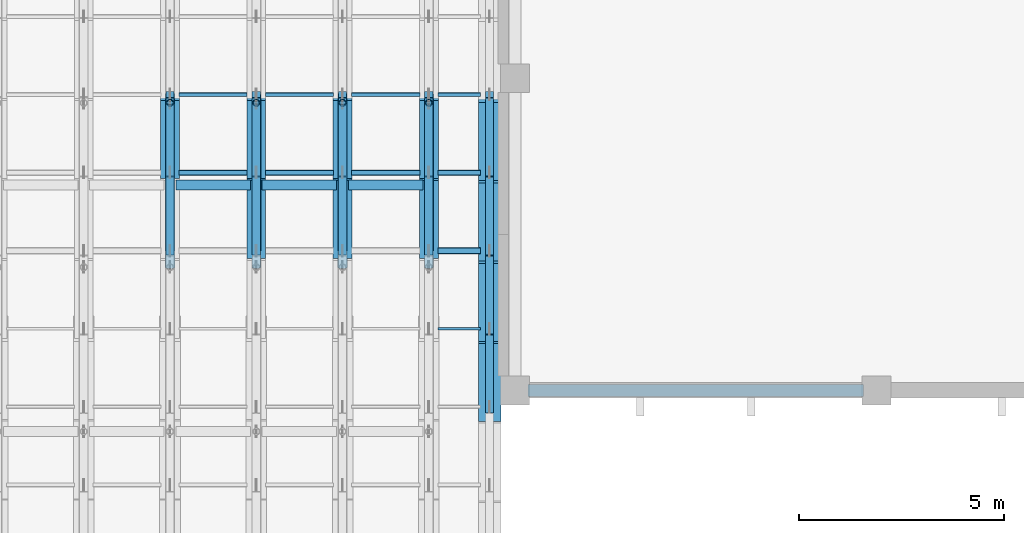
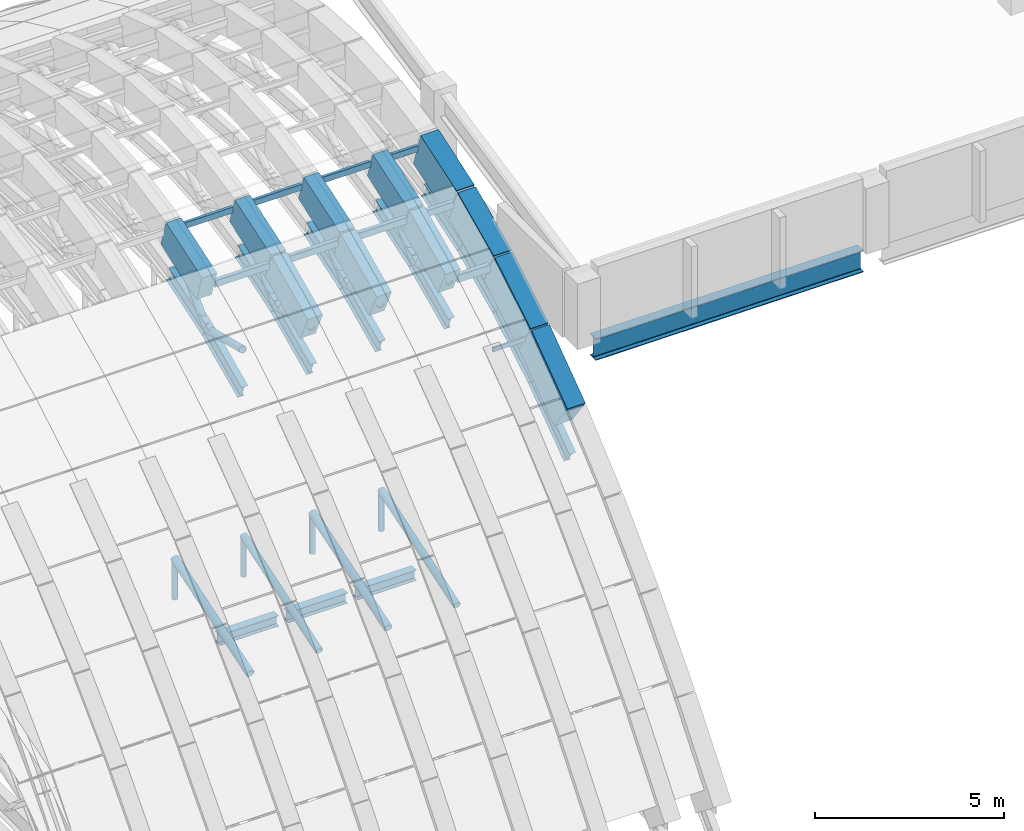
# One storey, part 34 of 67: 27 beams, 26 members.
"""IFC4 building model written with IfcOpenShell, lengths in metres."""

from ifc_helpers import new_model, si_unit, direction, frame, origin, origin_2d, place, context, subcontext, project, spatial, rectangle, hollow_rectangle, hollow_circle, i_section, extrude, material, material_profile, profile_set, type_object, element, save


model = new_model("IFC4")

# Units and contexts
model_context = context("Model", 3, precision=1e-05, world=origin(), true_north=direction((0.0, 1.0)))
body_context = subcontext(model_context, "Body", "Model", "MODEL_VIEW")
ifc_project = project(units=[si_unit("LENGTHUNIT", "METRE"), si_unit("AREAUNIT", "SQUARE_METRE"), si_unit("VOLUMEUNIT", "CUBIC_METRE"), si_unit("PLANEANGLEUNIT", "RADIAN"), si_unit("MASSUNIT", "GRAM", prefix="KILO")], contexts=[model_context])

# Site, building, storey
site_placement = place(None, origin())
site = spatial("IfcSite", under=ifc_project, at=site_placement, CompositionType="ELEMENT")
building_placement = place(site_placement, origin())
building = spatial("IfcBuilding", under=site, at=building_placement, Name="Shengluoqiao Park Theatre", CompositionType="ELEMENT")
storey_placement = place(building_placement, frame((0.0, 0.0, 28.60009765625)))
storey = spatial("IfcBuildingStorey", under=building, at=storey_placement, Name="Roof", CompositionType="ELEMENT", Elevation=28.60009765625)

# Beams
ifc_material_1 = material(Name="Concrete C50", Category="concrete")
ifc_material_profile_1 = material_profile(ifc_material_1, rectangle(XDim=0.4599609375, YDim=0.919921875, at=origin_2d()), Name="RC ARCH 460x920")
ifc_profile_set_1 = profile_set([ifc_material_profile_1], Name="Concrete C50")
beam_type_1 = type_object("IfcBeamType", Name="STR-BM-AR-4609", PredefinedType="BEAM", material=ifc_profile_set_1)
beam_1_placement = place(storey_placement, frame((78.0, 89.300048828125, 1.44580078125), z_axis=(0.0, 0.949157901431, 0.314800378257), x_axis=(-1.0, 0.0, 0.0)))
element("IfcBeam", 1, at=beam_1_placement, inside=storey, type_object=beam_type_1, Name="Barrel-Shell Arch Rib R17-S08", PredefinedType="BEAM", context=body_context, shape_type="SweptSolid", body=[
    extrude(rectangle(XDim=0.4599609375, YDim=0.919921875, at=origin_2d()), origin(), (0.0, 0.0, 1.0), 2.001708984375),
])
beam_2_placement = place(storey_placement, frame((80.10009765625, 87.39990234375, 0.56396484375), z_axis=(0.0, 0.907077318021, 0.420964059192), x_axis=(-1.0, 0.0, 0.0)))
element("IfcBeam", 2, at=beam_2_placement, inside=storey, type_object=beam_type_1, Name="Barrel-Shell Arch Rib R18-S07", PredefinedType="BEAM", context=body_context, shape_type="SweptSolid", body=[
    extrude(rectangle(XDim=0.4599609375, YDim=0.919921875, at=origin_2d()), origin(), (0.0, 0.0, 1.0), 2.0947265625),
])
beam_3_placement = place(storey_placement, frame((80.10009765625, 89.300048828125, 1.44580078125), z_axis=(0.0, 0.949157901431, 0.314800378257), x_axis=(-1.0, 0.0, 0.0)))
element("IfcBeam", 3, at=beam_3_placement, inside=storey, type_object=beam_type_1, Name="Barrel-Shell Arch Rib R18-S08", PredefinedType="BEAM", context=body_context, shape_type="SweptSolid", body=[
    extrude(rectangle(XDim=0.4599609375, YDim=0.919921875, at=origin_2d()), origin(), (0.0, 0.0, 1.0), 2.001708984375),
])
beam_4_placement = place(storey_placement, frame((82.199951171875, 87.39990234375, 0.56396484375), z_axis=(0.0, 0.907077318021, 0.420964059192), x_axis=(-1.0, 0.0, 0.0)))
element("IfcBeam", 4, at=beam_4_placement, inside=storey, type_object=beam_type_1, Name="Barrel-Shell Arch Rib R19-S07", PredefinedType="BEAM", context=body_context, shape_type="SweptSolid", body=[
    extrude(rectangle(XDim=0.4599609375, YDim=0.919921875, at=origin_2d()), origin(), (0.0, 0.0, 1.0), 2.0947265625),
])
beam_5_placement = place(storey_placement, frame((82.199951171875, 89.300048828125, 1.44580078125), z_axis=(0.0, 0.949157901431, 0.314800378257), x_axis=(-1.0, 0.0, 0.0)))
element("IfcBeam", 5, at=beam_5_placement, inside=storey, type_object=beam_type_1, Name="Barrel-Shell Arch Rib R19-S08", PredefinedType="BEAM", context=body_context, shape_type="SweptSolid", body=[
    extrude(rectangle(XDim=0.4599609375, YDim=0.919921875, at=origin_2d()), origin(), (0.0, 0.0, 1.0), 2.001708984375),
])
beam_6_placement = place(storey_placement, frame((84.300048828125, 87.39990234375, 0.56396484375), z_axis=(0.0, 0.907077318021, 0.420964059192), x_axis=(-1.0, 0.0, 0.0)))
element("IfcBeam", 6, at=beam_6_placement, inside=storey, type_object=beam_type_1, Name="Barrel-Shell Arch Rib R20-S07", PredefinedType="BEAM", context=body_context, shape_type="SweptSolid", body=[
    extrude(rectangle(XDim=0.4599609375, YDim=0.919921875, at=origin_2d()), origin(), (0.0, 0.0, 1.0), 2.0947265625),
])
beam_7_placement = place(storey_placement, frame((84.300048828125, 89.300048828125, 1.44580078125), z_axis=(0.0, 0.949157901431, 0.314800378257), x_axis=(-1.0, 0.0, 0.0)))
element("IfcBeam", 7, at=beam_7_placement, inside=storey, type_object=beam_type_1, Name="Barrel-Shell Arch Rib R20-S08", PredefinedType="BEAM", context=body_context, shape_type="SweptSolid", body=[
    extrude(rectangle(XDim=0.4599609375, YDim=0.919921875, at=origin_2d()), origin(), (0.0, 0.0, 1.0), 2.001708984375),
])
ifc_material_profile_2 = material_profile(ifc_material_1, rectangle(XDim=0.550048828125, YDim=1.199951171875, at=origin_2d()), Name="RC ARCH 550x1200")
ifc_profile_set_2 = profile_set([ifc_material_profile_2], Name="Concrete C50")
beam_type_2 = type_object("IfcBeamType", Name="STR-BM-AR-5512", PredefinedType="BEAM", material=ifc_profile_set_2)
beam_8_placement = place(storey_placement, frame((85.780029296875, 83.60009765625, -1.9560546875), z_axis=(0.0, 0.807877780345, 0.589350058985), x_axis=(-1.0, 0.0, 0.0)))
element("IfcBeam", 8, at=beam_8_placement, inside=storey, type_object=beam_type_2, Name="Barrel-Shell Arch Rib R21-S05", PredefinedType="BEAM", context=body_context, shape_type="SweptSolid", body=[
    extrude(rectangle(XDim=0.550048828125, YDim=1.199951171875, at=origin_2d()), origin(), (0.0, 0.0, 1.0), 2.351806640625),
])
beam_9_placement = place(storey_placement, frame((85.780029296875, 85.5, -0.570068359375), z_axis=(0.0, 0.858668723557, 0.512530997292), x_axis=(-1.0, 0.0, 0.0)))
element("IfcBeam", 9, at=beam_9_placement, inside=storey, type_object=beam_type_2, Name="Barrel-Shell Arch Rib R21-S06", PredefinedType="BEAM", context=body_context, shape_type="SweptSolid", body=[
    extrude(rectangle(XDim=0.550048828125, YDim=1.199951171875, at=origin_2d()), origin(), (0.0, 0.0, 1.0), 2.212646484375),
])
beam_10_placement = place(storey_placement, frame((85.780029296875, 87.39990234375, 0.56396484375), z_axis=(0.0, 0.907077318021, 0.420964059192), x_axis=(-1.0, 0.0, 0.0)))
element("IfcBeam", 10, at=beam_10_placement, inside=storey, type_object=beam_type_2, Name="Barrel-Shell Arch Rib R21-S07", PredefinedType="BEAM", context=body_context, shape_type="SweptSolid", body=[
    extrude(rectangle(XDim=0.550048828125, YDim=1.199951171875, at=origin_2d()), origin(), (0.0, 0.0, 1.0), 2.0947265625),
])
beam_11_placement = place(storey_placement, frame((85.780029296875, 89.300048828125, 1.44580078125), z_axis=(0.0, 0.949157901431, 0.314800378257), x_axis=(-1.0, 0.0, 0.0)))
element("IfcBeam", 11, at=beam_11_placement, inside=storey, type_object=beam_type_2, Name="Barrel-Shell Arch Rib R21-S08", PredefinedType="BEAM", context=body_context, shape_type="SweptSolid", body=[
    extrude(rectangle(XDim=0.550048828125, YDim=1.199951171875, at=origin_2d()), origin(), (0.0, 0.0, 1.0), 2.001708984375),
])
ifc_material_2 = material(Name="Steel Q355", Category="steel")
ifc_material_profile_3 = material_profile(ifc_material_2, i_section(OverallWidth=0.25, OverallDepth=0.340087890625, WebThickness=0.009033203125, FlangeThickness=0.013916015625, FilletRadius=0.01611328125, at=origin_2d()), Name="HM 340x250x9x14")
ifc_profile_set_3 = profile_set([ifc_material_profile_3], Name="Steel Q355")
beam_type_3 = type_object("IfcBeamType", Name="STR-BM-G-HM340", PredefinedType="BEAM", material=ifc_profile_set_3)
for number, where, z_axis, x_axis, name in (
    (12, (78.14404296875, 89.0, -9.77001953125), (1.0, 0.0, 0.0), (0.0, 1.0, 0.0), "Auditorium Overhead Catwalk Girder R17-2"),
    (13, (80.243896484375, 89.0, -9.77001953125), (1.0, 0.0, 0.0), (0.0, 1.0, 0.0), "Auditorium Overhead Catwalk Girder R18-2"),
    (14, (82.343994140625, 89.0, -9.77001953125), (1.0, 0.0, 0.0), (0.0, 1.0, 0.0), "Auditorium Overhead Catwalk Girder R19-2"),
):
    element("IfcBeam", number, at=place(storey_placement, frame(where, z_axis=z_axis, x_axis=x_axis)), inside=storey, type_object=beam_type_3, Name=name, PredefinedType="BEAM", context=body_context, shape_type="SweptSolid", body=[
        extrude(i_section(OverallWidth=0.25, OverallDepth=0.340087890625, WebThickness=0.009033203125, FlangeThickness=0.013916015625, FilletRadius=0.01611328125, at=origin_2d()), origin(), (0.0, 0.0, 1.0), 1.81201171875),
    ])
ifc_material_3 = material(Name="Steel Q390", Category="steel")
ifc_material_profile_4 = material_profile(ifc_material_3, i_section(OverallWidth=0.300048828125, OverallDepth=0.699951171875, WebThickness=0.012939453125, FlangeThickness=0.02392578125, FilletRadius=0.02392578125, at=origin_2d()), Name="HN 700x300x13x24")
ifc_profile_set_4 = profile_set([ifc_material_profile_4], Name="Steel Q390")
beam_type_4 = type_object("IfcBeamType", Name="STR-BM-G-HN700", PredefinedType="BEAM", material=ifc_profile_set_4)
beam_12_placement = place(storey_placement, frame((86.719970703125, 84.0, -0.35009765625), z_axis=(1.0, 0.0, 0.0), x_axis=(0.0, 1.0, 0.0)))
element("IfcBeam", 15, at=beam_12_placement, inside=storey, type_object=beam_type_4, Name="Fly Tower Roof South Eave Sill Girder X86", PredefinedType="BEAM", context=body_context, shape_type="SweptSolid", body=[
    extrude(i_section(OverallWidth=0.300048828125, OverallDepth=0.699951171875, WebThickness=0.012939453125, FlangeThickness=0.02392578125, FilletRadius=0.02392578125, at=origin_2d()), origin(), (0.0, 0.0, 1.0), 8.159912109375),
])
ifc_material_profile_5 = material_profile(ifc_material_2, i_section(OverallWidth=0.199951171875, OverallDepth=0.5, WebThickness=0.010009765625, FlangeThickness=0.01611328125, FilletRadius=0.01806640625, at=origin_2d()), Name="HN 500x200x10x16")
ifc_profile_set_5 = profile_set([ifc_material_profile_5], Name="Steel Q355")
beam_type_5 = type_object("IfcBeamType", Name="STR-BM-J-HN500", PredefinedType="JOIST", material=ifc_profile_set_5)
beam_13_placement = place(storey_placement, frame((78.0, 87.39990234375, -0.796142578125), z_axis=(0.0, 0.907032812412, 0.421059944911), x_axis=(-1.0, 0.0, 0.0)))
element("IfcBeam", 16, at=beam_13_placement, inside=storey, type_object=beam_type_5, Name="Barrel-Shell Lower Arch Chord R17-S07", PredefinedType="JOIST", context=body_context, shape_type="SweptSolid", body=[
    extrude(i_section(OverallWidth=0.199951171875, OverallDepth=0.5, WebThickness=0.010009765625, FlangeThickness=0.01611328125, FilletRadius=0.01806640625, at=origin_2d()), origin(), (0.0, 0.0, 1.0), 2.094970703125),
])
beam_14_placement = place(storey_placement, frame((78.0, 89.300048828125, 0.0859375), z_axis=(0.0, 0.949194340043, 0.314690490531), x_axis=(-1.0, 0.0, 0.0)))
element("IfcBeam", 17, at=beam_14_placement, inside=storey, type_object=beam_type_5, Name="Barrel-Shell Lower Arch Chord R17-S08", PredefinedType="JOIST", context=body_context, shape_type="SweptSolid", body=[
    extrude(i_section(OverallWidth=0.199951171875, OverallDepth=0.5, WebThickness=0.010009765625, FlangeThickness=0.01611328125, FilletRadius=0.01806640625, at=origin_2d()), origin(), (0.0, 0.0, 1.0), 2.001708984375),
])
beam_15_placement = place(storey_placement, frame((80.10009765625, 87.39990234375, -0.796142578125), z_axis=(0.0, 0.907032812412, 0.421059944911), x_axis=(-1.0, 0.0, 0.0)))
element("IfcBeam", 18, at=beam_15_placement, inside=storey, type_object=beam_type_5, Name="Barrel-Shell Lower Arch Chord R18-S07", PredefinedType="JOIST", context=body_context, shape_type="SweptSolid", body=[
    extrude(i_section(OverallWidth=0.199951171875, OverallDepth=0.5, WebThickness=0.010009765625, FlangeThickness=0.01611328125, FilletRadius=0.01806640625, at=origin_2d()), origin(), (0.0, 0.0, 1.0), 2.094970703125),
])
beam_16_placement = place(storey_placement, frame((80.10009765625, 89.300048828125, 0.0859375), z_axis=(0.0, 0.949194340043, 0.314690490531), x_axis=(-1.0, 0.0, 0.0)))
element("IfcBeam", 19, at=beam_16_placement, inside=storey, type_object=beam_type_5, Name="Barrel-Shell Lower Arch Chord R18-S08", PredefinedType="JOIST", context=body_context, shape_type="SweptSolid", body=[
    extrude(i_section(OverallWidth=0.199951171875, OverallDepth=0.5, WebThickness=0.010009765625, FlangeThickness=0.01611328125, FilletRadius=0.01806640625, at=origin_2d()), origin(), (0.0, 0.0, 1.0), 2.001708984375),
])
beam_17_placement = place(storey_placement, frame((82.199951171875, 87.39990234375, -0.796142578125), z_axis=(0.0, 0.907032812412, 0.421059944911), x_axis=(-1.0, 0.0, 0.0)))
element("IfcBeam", 20, at=beam_17_placement, inside=storey, type_object=beam_type_5, Name="Barrel-Shell Lower Arch Chord R19-S07", PredefinedType="JOIST", context=body_context, shape_type="SweptSolid", body=[
    extrude(i_section(OverallWidth=0.199951171875, OverallDepth=0.5, WebThickness=0.010009765625, FlangeThickness=0.01611328125, FilletRadius=0.01806640625, at=origin_2d()), origin(), (0.0, 0.0, 1.0), 2.094970703125),
])
beam_18_placement = place(storey_placement, frame((82.199951171875, 89.300048828125, 0.0859375), z_axis=(0.0, 0.949194340043, 0.314690490531), x_axis=(-1.0, 0.0, 0.0)))
element("IfcBeam", 21, at=beam_18_placement, inside=storey, type_object=beam_type_5, Name="Barrel-Shell Lower Arch Chord R19-S08", PredefinedType="JOIST", context=body_context, shape_type="SweptSolid", body=[
    extrude(i_section(OverallWidth=0.199951171875, OverallDepth=0.5, WebThickness=0.010009765625, FlangeThickness=0.01611328125, FilletRadius=0.01806640625, at=origin_2d()), origin(), (0.0, 0.0, 1.0), 2.001708984375),
])
beam_19_placement = place(storey_placement, frame((84.300048828125, 87.39990234375, -0.796142578125), z_axis=(0.0, 0.907032812412, 0.421059944911), x_axis=(-1.0, 0.0, 0.0)))
element("IfcBeam", 22, at=beam_19_placement, inside=storey, type_object=beam_type_5, Name="Barrel-Shell Lower Arch Chord R20-S07", PredefinedType="JOIST", context=body_context, shape_type="SweptSolid", body=[
    extrude(i_section(OverallWidth=0.199951171875, OverallDepth=0.5, WebThickness=0.010009765625, FlangeThickness=0.01611328125, FilletRadius=0.01806640625, at=origin_2d()), origin(), (0.0, 0.0, 1.0), 2.094970703125),
])
beam_20_placement = place(storey_placement, frame((84.300048828125, 89.300048828125, 0.0859375), z_axis=(0.0, 0.949194340043, 0.314690490531), x_axis=(-1.0, 0.0, 0.0)))
element("IfcBeam", 23, at=beam_20_placement, inside=storey, type_object=beam_type_5, Name="Barrel-Shell Lower Arch Chord R20-S08", PredefinedType="JOIST", context=body_context, shape_type="SweptSolid", body=[
    extrude(i_section(OverallWidth=0.199951171875, OverallDepth=0.5, WebThickness=0.010009765625, FlangeThickness=0.01611328125, FilletRadius=0.01806640625, at=origin_2d()), origin(), (0.0, 0.0, 1.0), 2.001708984375),
])
beam_21_placement = place(storey_placement, frame((85.780029296875, 83.60009765625, -3.316162109375), z_axis=(0.0, 0.807877780345, 0.589350058985), x_axis=(-1.0, 0.0, 0.0)))
element("IfcBeam", 24, at=beam_21_placement, inside=storey, type_object=beam_type_5, Name="Barrel-Shell Lower Arch Chord R21-S05", PredefinedType="JOIST", context=body_context, shape_type="SweptSolid", body=[
    extrude(i_section(OverallWidth=0.199951171875, OverallDepth=0.5, WebThickness=0.010009765625, FlangeThickness=0.01611328125, FilletRadius=0.01806640625, at=origin_2d()), origin(), (0.0, 0.0, 1.0), 2.351806640625),
])
beam_22_placement = place(storey_placement, frame((85.780029296875, 85.5, -1.93017578125), z_axis=(0.0, 0.858668723557, 0.512530997292), x_axis=(-1.0, 0.0, 0.0)))
element("IfcBeam", 25, at=beam_22_placement, inside=storey, type_object=beam_type_5, Name="Barrel-Shell Lower Arch Chord R21-S06", PredefinedType="JOIST", context=body_context, shape_type="SweptSolid", body=[
    extrude(i_section(OverallWidth=0.199951171875, OverallDepth=0.5, WebThickness=0.010009765625, FlangeThickness=0.01611328125, FilletRadius=0.01806640625, at=origin_2d()), origin(), (0.0, 0.0, 1.0), 2.212646484375),
])
beam_23_placement = place(storey_placement, frame((85.780029296875, 87.39990234375, -0.796142578125), z_axis=(0.0, 0.907032812412, 0.421059944911), x_axis=(-1.0, 0.0, 0.0)))
element("IfcBeam", 26, at=beam_23_placement, inside=storey, type_object=beam_type_5, Name="Barrel-Shell Lower Arch Chord R21-S07", PredefinedType="JOIST", context=body_context, shape_type="SweptSolid", body=[
    extrude(i_section(OverallWidth=0.199951171875, OverallDepth=0.5, WebThickness=0.010009765625, FlangeThickness=0.01611328125, FilletRadius=0.01806640625, at=origin_2d()), origin(), (0.0, 0.0, 1.0), 2.094970703125),
])
beam_24_placement = place(storey_placement, frame((85.780029296875, 89.300048828125, 0.0859375), z_axis=(0.0, 0.949194340043, 0.314690490531), x_axis=(-1.0, 0.0, 0.0)))
element("IfcBeam", 27, at=beam_24_placement, inside=storey, type_object=beam_type_5, Name="Barrel-Shell Lower Arch Chord R21-S08", PredefinedType="JOIST", context=body_context, shape_type="SweptSolid", body=[
    extrude(i_section(OverallWidth=0.199951171875, OverallDepth=0.5, WebThickness=0.010009765625, FlangeThickness=0.01611328125, FilletRadius=0.01806640625, at=origin_2d()), origin(), (0.0, 0.0, 1.0), 2.001708984375),
])

# Members
ifc_material_profile_6 = material_profile(ifc_material_2, hollow_circle(Radius=0.109619140625, WallThickness=0.010009765625, at=origin_2d()), Name="CHS 219x10")
ifc_profile_set_6 = profile_set([ifc_material_profile_6], Name="Steel Q355")
member_type_1 = type_object("IfcMemberType", Name="STR-MEM-BRC-219", PredefinedType="BRACE", material=ifc_profile_set_6)
member_1_placement = place(storey_placement, frame((78.0, 87.39990234375, 0.56396484375), z_axis=(0.0, 0.96978228772, -0.243971954176), x_axis=(-1.0, 0.0, 0.0)))
element("IfcMember", 28, at=member_1_placement, inside=storey, type_object=member_type_1, Name="Barrel-Shell Arch Truss Web 0327", PredefinedType="BRACE", context=body_context, shape_type="SweptSolid", body=[
    extrude(hollow_circle(Radius=0.109619140625, WallThickness=0.010009765625, at=origin_2d()), origin(), (0.0, 0.0, 1.0), 1.95947265625),
])
member_2_placement = place(storey_placement, frame((78.0, 89.300048828125, 0.0859375), z_axis=(0.0, 0.690545389436, 0.723289060562), x_axis=(-1.0, 0.0, 0.0)))
element("IfcMember", 29, at=member_2_placement, inside=storey, type_object=member_type_1, Name="Barrel-Shell Arch Truss Web 0328", PredefinedType="BRACE", context=body_context, shape_type="SweptSolid", body=[
    extrude(hollow_circle(Radius=0.109619140625, WallThickness=0.010009765625, at=origin_2d()), origin(), (0.0, 0.0, 1.0), 2.751220703125),
])
member_3_placement = place(storey_placement, frame((80.10009765625, 87.39990234375, 0.56396484375), z_axis=(0.0, 0.96978228772, -0.243971954176), x_axis=(-1.0, 0.0, 0.0)))
element("IfcMember", 30, at=member_3_placement, inside=storey, type_object=member_type_1, Name="Barrel-Shell Arch Truss Web 0347", PredefinedType="BRACE", context=body_context, shape_type="SweptSolid", body=[
    extrude(hollow_circle(Radius=0.109619140625, WallThickness=0.010009765625, at=origin_2d()), origin(), (0.0, 0.0, 1.0), 1.95947265625),
])
member_4_placement = place(storey_placement, frame((80.10009765625, 89.300048828125, 0.0859375), z_axis=(0.0, 0.690545389436, 0.723289060562), x_axis=(-1.0, 0.0, 0.0)))
element("IfcMember", 31, at=member_4_placement, inside=storey, type_object=member_type_1, Name="Barrel-Shell Arch Truss Web 0348", PredefinedType="BRACE", context=body_context, shape_type="SweptSolid", body=[
    extrude(hollow_circle(Radius=0.109619140625, WallThickness=0.010009765625, at=origin_2d()), origin(), (0.0, 0.0, 1.0), 2.751220703125),
])
member_5_placement = place(storey_placement, frame((82.199951171875, 87.39990234375, 0.56396484375), z_axis=(0.0, 0.96978228772, -0.243971954176), x_axis=(-1.0, 0.0, 0.0)))
element("IfcMember", 32, at=member_5_placement, inside=storey, type_object=member_type_1, Name="Barrel-Shell Arch Truss Web 0367", PredefinedType="BRACE", context=body_context, shape_type="SweptSolid", body=[
    extrude(hollow_circle(Radius=0.109619140625, WallThickness=0.010009765625, at=origin_2d()), origin(), (0.0, 0.0, 1.0), 1.95947265625),
])
member_6_placement = place(storey_placement, frame((82.199951171875, 89.300048828125, 0.0859375), z_axis=(0.0, 0.690545389436, 0.723289060562), x_axis=(-1.0, 0.0, 0.0)))
element("IfcMember", 33, at=member_6_placement, inside=storey, type_object=member_type_1, Name="Barrel-Shell Arch Truss Web 0368", PredefinedType="BRACE", context=body_context, shape_type="SweptSolid", body=[
    extrude(hollow_circle(Radius=0.109619140625, WallThickness=0.010009765625, at=origin_2d()), origin(), (0.0, 0.0, 1.0), 2.751220703125),
])
member_7_placement = place(storey_placement, frame((84.300048828125, 87.39990234375, 0.56396484375), z_axis=(0.0, 0.96978228772, -0.243971954176), x_axis=(-1.0, 0.0, 0.0)))
element("IfcMember", 34, at=member_7_placement, inside=storey, type_object=member_type_1, Name="Barrel-Shell Arch Truss Web 0387", PredefinedType="BRACE", context=body_context, shape_type="SweptSolid", body=[
    extrude(hollow_circle(Radius=0.109619140625, WallThickness=0.010009765625, at=origin_2d()), origin(), (0.0, 0.0, 1.0), 1.95947265625),
])
member_8_placement = place(storey_placement, frame((84.300048828125, 89.300048828125, 0.0859375), z_axis=(0.0, 0.690545389436, 0.723289060562), x_axis=(-1.0, 0.0, 0.0)))
element("IfcMember", 35, at=member_8_placement, inside=storey, type_object=member_type_1, Name="Barrel-Shell Arch Truss Web 0388", PredefinedType="BRACE", context=body_context, shape_type="SweptSolid", body=[
    extrude(hollow_circle(Radius=0.109619140625, WallThickness=0.010009765625, at=origin_2d()), origin(), (0.0, 0.0, 1.0), 2.751220703125),
])
for number, where, z_axis, x_axis, name in (
    (36, (80.10009765625, 87.0, -9.650146484375), (0.0, 0.951030656115, 0.309096572498), (-1.0, 0.0, 0.0), "Acoustic Tie Truss Diagonal 0148"),
    (37, (84.300048828125, 87.0, -9.650146484375), (0.0, 0.951030656115, 0.309096572498), (-1.0, 0.0, 0.0), "Acoustic Tie Truss Diagonal 0182"),
):
    element("IfcMember", number, at=place(storey_placement, frame(where, z_axis=z_axis, x_axis=x_axis)), inside=storey, type_object=member_type_1, Name=name, PredefinedType="BRACE", context=body_context, shape_type="SweptSolid", body=[
        extrude(hollow_circle(Radius=0.109619140625, WallThickness=0.010009765625, at=origin_2d()), origin(), (0.0, 0.0, 1.0), 4.2060546875),
    ])
ifc_material_profile_7 = material_profile(ifc_material_2, hollow_circle(Radius=0.12255859375, WallThickness=0.010009765625, at=origin_2d()), Name="CHS 245x10")
ifc_profile_set_7 = profile_set([ifc_material_profile_7], Name="Steel Q355")
member_type_2 = type_object("IfcMemberType", Name="STR-MEM-BRC-245", PredefinedType="BRACE", material=ifc_profile_set_7)
for number, where, z_axis, x_axis, name in (
    (38, (78.0, 87.0, -9.650146484375), (0.0, 0.951030656115, 0.309096572498), (-1.0, 0.0, 0.0), "Acoustic Tie Truss Diagonal 0131"),
    (39, (82.199951171875, 87.0, -9.650146484375), (0.0, 0.951030656115, 0.309096572498), (-1.0, 0.0, 0.0), "Acoustic Tie Truss Diagonal 0165"),
):
    element("IfcMember", number, at=place(storey_placement, frame(where, z_axis=z_axis, x_axis=x_axis)), inside=storey, type_object=member_type_2, Name=name, PredefinedType="BRACE", context=body_context, shape_type="SweptSolid", body=[
        extrude(hollow_circle(Radius=0.12255859375, WallThickness=0.010009765625, at=origin_2d()), origin(), (0.0, 0.0, 1.0), 4.2060546875),
    ])
ifc_material_profile_8 = material_profile(ifc_material_2, hollow_rectangle(XDim=0.070068359375, YDim=0.139892578125, WallThickness=0.006103515625, InnerFilletRadius=0.006103515625, OuterFilletRadius=0.011962890625, at=origin_2d()), Name="RHS 140x70x6")
ifc_profile_set_8 = profile_set([ifc_material_profile_8], Name="Steel Q355")
member_type_3 = type_object("IfcMemberType", Name="STR-MEM-PU-R140", PredefinedType="PURLIN", material=ifc_profile_set_8)
member_9_placement = place(storey_placement, frame((84.52001953125, 85.5, -0.570068359375), z_axis=(1.0, 0.0, 0.0), x_axis=(0.0, 1.0, 0.0)))
element("IfcMember", 40, at=member_9_placement, inside=storey, type_object=member_type_3, Name="Shell Longitudinal Purlin 0366", PredefinedType="PURLIN", context=body_context, shape_type="SweptSolid", body=[
    extrude(hollow_rectangle(XDim=0.070068359375, YDim=0.139892578125, WallThickness=0.006103515625, InnerFilletRadius=0.006103515625, OuterFilletRadius=0.011962890625, at=origin_2d()), origin(), (0.0, 0.0, 1.0), 1.0400390625),
])
ifc_material_profile_9 = material_profile(ifc_material_2, hollow_rectangle(XDim=0.10009765625, YDim=0.199951171875, WallThickness=0.008056640625, InnerFilletRadius=0.008056640625, OuterFilletRadius=0.01611328125, at=origin_2d()), Name="RHS 200x100x8")
ifc_profile_set_9 = profile_set([ifc_material_profile_9], Name="Steel Q355")
member_type_4 = type_object("IfcMemberType", Name="STR-MEM-PU-R200", PredefinedType="PURLIN", material=ifc_profile_set_9)
for number, where, z_axis, x_axis, name in (
    (41, (78.219970703125, 91.199951171875, 2.1259765625), (1.0, 0.0, 0.0), (0.0, 1.0, 0.0), "Shell Longitudinal Purlin 0312"),
    (42, (80.320068359375, 91.199951171875, 2.1259765625), (1.0, 0.0, 0.0), (0.0, 1.0, 0.0), "Shell Longitudinal Purlin 0331"),
):
    element("IfcMember", number, at=place(storey_placement, frame(where, z_axis=z_axis, x_axis=x_axis)), inside=storey, type_object=member_type_4, Name=name, PredefinedType="PURLIN", context=body_context, shape_type="SweptSolid", body=[
        extrude(hollow_rectangle(XDim=0.10009765625, YDim=0.199951171875, WallThickness=0.008056640625, InnerFilletRadius=0.008056640625, OuterFilletRadius=0.01611328125, at=origin_2d()), origin(), (0.0, 0.0, 1.0), 1.659912109375),
    ])
member_10_placement = place(storey_placement, frame((82.419921875, 91.199951171875, 2.1259765625), z_axis=(1.0, 0.0, 0.0), x_axis=(0.0, 1.0, 0.0)))
element("IfcMember", 43, at=member_10_placement, inside=storey, type_object=member_type_4, Name="Shell Longitudinal Purlin 0350", PredefinedType="PURLIN", context=body_context, shape_type="SweptSolid", body=[
    extrude(hollow_rectangle(XDim=0.10009765625, YDim=0.199951171875, WallThickness=0.008056640625, InnerFilletRadius=0.008056640625, OuterFilletRadius=0.01611328125, at=origin_2d()), origin(), (0.0, 0.0, 1.0), 1.66015625),
])
member_11_placement = place(storey_placement, frame((84.52001953125, 91.199951171875, 2.1259765625), z_axis=(1.0, 0.0, 0.0), x_axis=(0.0, 1.0, 0.0)))
element("IfcMember", 44, at=member_11_placement, inside=storey, type_object=member_type_4, Name="Shell Longitudinal Purlin 0369", PredefinedType="PURLIN", context=body_context, shape_type="SweptSolid", body=[
    extrude(hollow_rectangle(XDim=0.10009765625, YDim=0.199951171875, WallThickness=0.008056640625, InnerFilletRadius=0.008056640625, OuterFilletRadius=0.01611328125, at=origin_2d()), origin(), (0.0, 0.0, 1.0), 1.0400390625),
])
ifc_material_profile_10 = material_profile(ifc_material_2, hollow_rectangle(XDim=0.139892578125, YDim=0.219970703125, WallThickness=0.010009765625, InnerFilletRadius=0.010009765625, OuterFilletRadius=0.02001953125, at=origin_2d()), Name="RHS 220x140x10")
ifc_profile_set_10 = profile_set([ifc_material_profile_10], Name="Steel Q355")
member_type_5 = type_object("IfcMemberType", Name="STR-MEM-PU-R220", PredefinedType="PURLIN", material=ifc_profile_set_10)
for number, where, z_axis, x_axis, name in (
    (45, (78.219970703125, 89.300048828125, 1.475830078125), (1.0, 0.0, 0.0), (0.0, 1.0, 0.0), "Shell Longitudinal Purlin 0311"),
    (46, (80.320068359375, 89.300048828125, 1.475830078125), (1.0, 0.0, 0.0), (0.0, 1.0, 0.0), "Shell Longitudinal Purlin 0330"),
):
    element("IfcMember", number, at=place(storey_placement, frame(where, z_axis=z_axis, x_axis=x_axis)), inside=storey, type_object=member_type_5, Name=name, PredefinedType="PURLIN", context=body_context, shape_type="SweptSolid", body=[
        extrude(hollow_rectangle(XDim=0.139892578125, YDim=0.219970703125, WallThickness=0.010009765625, InnerFilletRadius=0.010009765625, OuterFilletRadius=0.02001953125, at=origin_2d()), origin(), (0.0, 0.0, 1.0), 1.659912109375),
    ])
member_12_placement = place(storey_placement, frame((82.419921875, 89.300048828125, 1.475830078125), z_axis=(1.0, 0.0, 0.0), x_axis=(0.0, 1.0, 0.0)))
element("IfcMember", 47, at=member_12_placement, inside=storey, type_object=member_type_5, Name="Shell Longitudinal Purlin 0349", PredefinedType="PURLIN", context=body_context, shape_type="SweptSolid", body=[
    extrude(hollow_rectangle(XDim=0.139892578125, YDim=0.219970703125, WallThickness=0.010009765625, InnerFilletRadius=0.010009765625, OuterFilletRadius=0.02001953125, at=origin_2d()), origin(), (0.0, 0.0, 1.0), 1.66015625),
])
member_13_placement = place(storey_placement, frame((84.52001953125, 89.300048828125, 1.475830078125), z_axis=(1.0, 0.0, 0.0), x_axis=(0.0, 1.0, 0.0)))
element("IfcMember", 48, at=member_13_placement, inside=storey, type_object=member_type_5, Name="Shell Longitudinal Purlin 0368", PredefinedType="PURLIN", context=body_context, shape_type="SweptSolid", body=[
    extrude(hollow_rectangle(XDim=0.139892578125, YDim=0.219970703125, WallThickness=0.010009765625, InnerFilletRadius=0.010009765625, OuterFilletRadius=0.02001953125, at=origin_2d()), origin(), (0.0, 0.0, 1.0), 1.0400390625),
])
ifc_material_profile_11 = material_profile(ifc_material_2, hollow_rectangle(XDim=0.14990234375, YDim=0.25, WallThickness=0.010009765625, InnerFilletRadius=0.010009765625, OuterFilletRadius=0.02001953125, at=origin_2d()), Name="RHS 250x150x10")
ifc_profile_set_11 = profile_set([ifc_material_profile_11], Name="Steel Q355")
member_type_6 = type_object("IfcMemberType", Name="STR-MEM-PU-R250", PredefinedType="PURLIN", material=ifc_profile_set_11)
member_14_placement = place(storey_placement, frame((84.52001953125, 87.39990234375, 0.583984375), z_axis=(1.0, 0.0, 0.0), x_axis=(0.0, 1.0, 0.0)))
element("IfcMember", 49, at=member_14_placement, inside=storey, type_object=member_type_6, Name="Shell Longitudinal Purlin 0367", PredefinedType="PURLIN", context=body_context, shape_type="SweptSolid", body=[
    extrude(hollow_rectangle(XDim=0.14990234375, YDim=0.25, WallThickness=0.010009765625, InnerFilletRadius=0.010009765625, OuterFilletRadius=0.02001953125, at=origin_2d()), origin(), (0.0, 0.0, 1.0), 1.0400390625),
])
ifc_material_profile_12 = material_profile(ifc_material_2, hollow_circle(Radius=0.083984375, WallThickness=0.008056640625, at=origin_2d()), Name="CHS 168x8")
ifc_profile_set_12 = profile_set([ifc_material_profile_12], Name="Steel Q355")
member_type_7 = type_object("IfcMemberType", Name="STR-MEM-STC-168", PredefinedType="STRUT", material=ifc_profile_set_12)
for number, where, z_axis, x_axis, name in (
    (50, (78.0, 91.0, -9.650146484375), (0.0, 0.0, 1.0), (1.0, 0.0, 0.0), "Acoustic Tie Truss Strut 0123"),
    (51, (80.10009765625, 91.0, -9.650146484375), (0.0, 0.0, 1.0), (1.0, 0.0, 0.0), "Acoustic Tie Truss Strut 0140"),
    (52, (82.199951171875, 91.0, -9.650146484375), (0.0, 0.0, 1.0), (1.0, 0.0, 0.0), "Acoustic Tie Truss Strut 0157"),
    (53, (84.300048828125, 91.0, -9.650146484375), (0.0, 0.0, 1.0), (1.0, 0.0, 0.0), "Acoustic Tie Truss Strut 0174"),
):
    element("IfcMember", number, at=place(storey_placement, frame(where, z_axis=z_axis, x_axis=x_axis)), inside=storey, type_object=member_type_7, Name=name, PredefinedType="STRUT", context=body_context, shape_type="SweptSolid", body=[
        extrude(hollow_circle(Radius=0.083984375, WallThickness=0.008056640625, at=origin_2d()), origin(), (0.0, 0.0, 1.0), 1.300048828125),
    ])

save(model, "model.ifc")
